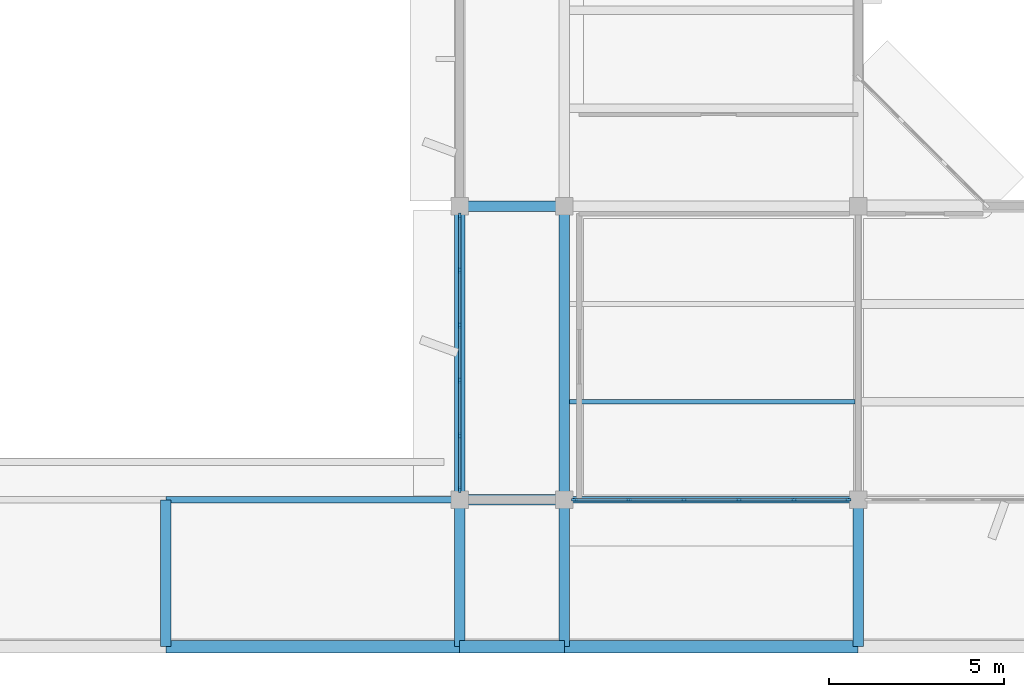
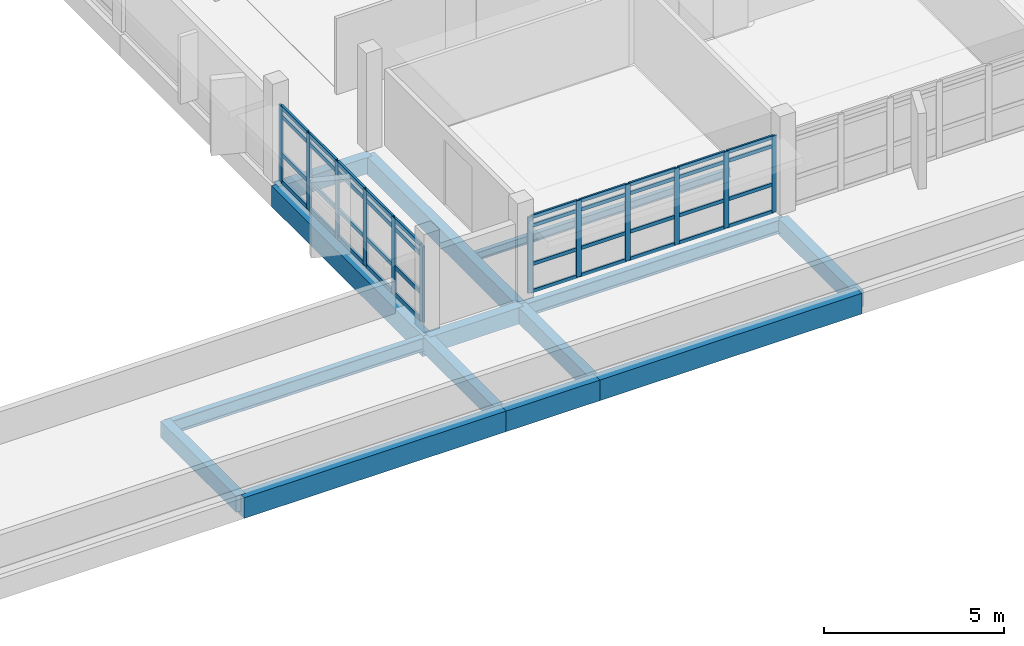
# One storey, part 15 of 92: 52 members, 14 beams, 2 elements without a shape of their own.
"""IFC4 building model written with IfcOpenShell, lengths in metres."""

from ifc_helpers import new_model, si_unit, direction, frame, origin, origin_2d, place, context, subcontext, project, spatial, rectangle, i_section, extrude, material, material_profile, profile_set, type_object, element, aggregate, save


model = new_model("IFC4")

# Units and contexts
model_context = context("Model", 3, precision=1e-05, world=origin(), true_north=direction((0.0, 1.0)))
body_context = subcontext(model_context, "Body", "Model", "MODEL_VIEW")
ifc_project = project(units=[si_unit("LENGTHUNIT", "METRE"), si_unit("AREAUNIT", "SQUARE_METRE"), si_unit("VOLUMEUNIT", "CUBIC_METRE"), si_unit("PLANEANGLEUNIT", "RADIAN"), si_unit("MASSUNIT", "GRAM", prefix="KILO")], contexts=[model_context])

# Site, building, storey
site_placement = place(None, origin())
site = spatial("IfcSite", under=ifc_project, at=site_placement, CompositionType="ELEMENT")
building_placement = place(site_placement, origin())
building = spatial("IfcBuilding", under=site, at=building_placement, Name="Vanh Quang Courtyard School", CompositionType="ELEMENT")
storey_placement = place(building_placement, frame((0.0, 0.0, 7.800048828125)))
storey = spatial("IfcBuildingStorey", under=building, at=storey_placement, Name="L02", CompositionType="ELEMENT", Elevation=7.800048828125)

# Beams
ifc_material_1 = material(Name="Concrete C35/45", Category="concrete")
ifc_material_profile_1 = material_profile(ifc_material_1, rectangle(XDim=0.300048828125, YDim=0.550048828125, at=origin_2d()), Name="RC-BM 300x550")
ifc_profile_set_1 = profile_set([ifc_material_profile_1], Name="Concrete C35/45")
beam_type_1 = type_object("IfcBeamType", Name="BM-RC-300x550", PredefinedType="BEAM", material=ifc_profile_set_1)
for number, where, z_axis, x_axis, name in (
    (1, (74.39990234375, 4.199951171875, -0.554931640625), (1.0, 0.0, 0.0), (0.0, 1.0, 0.0), "Beam B-07 (L02)"),
    (2, (74.39990234375, 12.60009765625, -0.554931640625), (1.0, 0.0, 0.0), (0.0, 1.0, 0.0), "Beam B-07 (L02)"),
):
    element("IfcBeam", number, at=place(storey_placement, frame(where, z_axis=z_axis, x_axis=x_axis)), inside=storey, type_object=beam_type_1, Name=name, PredefinedType="BEAM", context=body_context, shape_type="SweptSolid", body=[
        extrude(rectangle(XDim=0.300048828125, YDim=0.550048828125, at=origin_2d()), origin(), (0.0, 0.0, 1.0), 3.0),
    ])
for number, where, z_axis, x_axis, name in (
    (3, (66.0, 0.0, -0.4951171875), (0.0, 1.0, 0.0), (-1.0, 0.0, 0.0), "Beam B-07 (L02)"),
    (4, (74.39990234375, 0.0, -0.554931640625), (0.0, 1.0, 0.0), (-1.0, 0.0, 0.0), "Beam B-07 (L02)"),
    (5, (77.39990234375, 0.0, -0.554931640625), (0.0, 1.0, 0.0), (-1.0, 0.0, 0.0), "Beam B-07 (L02)"),
    (6, (85.800048828125, 0.0, -0.554931640625), (0.0, 1.0, 0.0), (-1.0, 0.0, 0.0), "Beam B-07 (L02)"),
):
    element("IfcBeam", number, at=place(storey_placement, frame(where, z_axis=z_axis, x_axis=x_axis)), inside=storey, type_object=beam_type_1, Name=name, PredefinedType="BEAM", context=body_context, shape_type="SweptSolid", body=[
        extrude(rectangle(XDim=0.300048828125, YDim=0.550048828125, at=origin_2d()), origin(), (0.0, 0.0, 1.0), 4.199951171875),
    ])
ifc_material_profile_2 = material_profile(ifc_material_1, rectangle(XDim=0.300048828125, YDim=0.60009765625, at=origin_2d()), Name="RC-BM 300x600")
ifc_profile_set_2 = profile_set([ifc_material_profile_2], Name="Concrete C35/45")
beam_type_2 = type_object("IfcBeamType", Name="BM-RC-300x600", PredefinedType="BEAM", material=ifc_profile_set_2)
beam_1_placement = place(storey_placement, frame((77.39990234375, 4.199951171875, -0.580078125), z_axis=(0.0, 1.0, 0.0), x_axis=(-1.0, 0.0, 0.0)))
element("IfcBeam", 7, at=beam_1_placement, inside=storey, type_object=beam_type_2, Name="Beam B-06 (L02)", PredefinedType="BEAM", context=body_context, shape_type="SweptSolid", body=[
    extrude(rectangle(XDim=0.300048828125, YDim=0.60009765625, at=origin_2d()), origin(), (0.0, 0.0, 1.0), 8.400146484375),
])
ifc_material_profile_3 = material_profile(ifc_material_1, rectangle(XDim=0.35009765625, YDim=0.699951171875, at=origin_2d()), Name="RC-BM 350x700")
ifc_profile_set_3 = profile_set([ifc_material_profile_3], Name="Concrete C35/45")
beam_type_3 = type_object("IfcBeamType", Name="BM-RC-350x700", PredefinedType="BEAM", material=ifc_profile_set_3)
beam_2_placement = place(storey_placement, frame((66.0, 0.0, -0.570068359375), z_axis=(1.0, 0.0, 0.0), x_axis=(0.0, 1.0, 0.0)))
element("IfcBeam", 8, at=beam_2_placement, inside=storey, type_object=beam_type_3, Name="Beam B-04 (L02)", PredefinedType="BEAM", context=body_context, shape_type="SweptSolid", body=[
    extrude(rectangle(XDim=0.35009765625, YDim=0.699951171875, at=origin_2d()), origin(), (0.0, 0.0, 1.0), 8.39990234375),
])
beam_3_placement = place(storey_placement, frame((74.39990234375, 0.0, -0.570068359375), z_axis=(1.0, 0.0, 0.0), x_axis=(0.0, 1.0, 0.0)))
element("IfcBeam", 9, at=beam_3_placement, inside=storey, type_object=beam_type_3, Name="Beam B-04 (L02)", PredefinedType="BEAM", context=body_context, shape_type="SweptSolid", body=[
    extrude(rectangle(XDim=0.35009765625, YDim=0.699951171875, at=origin_2d()), origin(), (0.0, 0.0, 1.0), 3.0),
])
beam_4_placement = place(storey_placement, frame((77.39990234375, 0.0, -0.570068359375), z_axis=(1.0, 0.0, 0.0), x_axis=(0.0, 1.0, 0.0)))
element("IfcBeam", 10, at=beam_4_placement, inside=storey, type_object=beam_type_3, Name="Beam B-04 (L02)", PredefinedType="BEAM", context=body_context, shape_type="SweptSolid", body=[
    extrude(rectangle(XDim=0.35009765625, YDim=0.699951171875, at=origin_2d()), origin(), (0.0, 0.0, 1.0), 8.400146484375),
])
ifc_material_profile_4 = material_profile(ifc_material_1, rectangle(XDim=0.300048828125, YDim=0.699951171875, at=origin_2d()), Name="RC-SP 300x700")
ifc_profile_set_4 = profile_set([ifc_material_profile_4], Name="Concrete C35/45")
beam_type_4 = type_object("IfcBeamType", Name="BM-SP-300x700", PredefinedType="SPANDREL", material=ifc_profile_set_4)
beam_5_placement = place(storey_placement, frame((74.39990234375, 4.199951171875, -0.630126953125), z_axis=(0.0, 1.0, 0.0), x_axis=(-1.0, 0.0, 0.0)))
element("IfcBeam", 11, at=beam_5_placement, inside=storey, type_object=beam_type_4, Name="Beam BS-01 (L02)", PredefinedType="SPANDREL", context=body_context, shape_type="SweptSolid", body=[
    extrude(rectangle(XDim=0.300048828125, YDim=0.699951171875, at=origin_2d()), origin(), (0.0, 0.0, 1.0), 8.400146484375),
])
ifc_material_2 = material(Name="Structural steel EN 10025-2 S355J2", Category="steel")
ifc_material_profile_5 = material_profile(ifc_material_2, i_section(OverallWidth=0.18994140625, OverallDepth=0.449951171875, WebThickness=0.009521484375, FlangeThickness=0.0146484375, FilletRadius=0.02099609375, at=origin_2d()), Name="IPE 450")
ifc_profile_set_5 = profile_set([ifc_material_profile_5], Name="Structural steel EN 10025-2 S355J2")
beam_type_5 = type_object("IfcBeamType", Name="BM-STL-IPE450", PredefinedType="BEAM", material=ifc_profile_set_5)
beam_6_placement = place(storey_placement, frame((66.0, 4.199951171875, -0.505126953125), z_axis=(1.0, 0.0, 0.0), x_axis=(0.0, 1.0, 0.0)))
element("IfcBeam", 12, at=beam_6_placement, inside=storey, type_object=beam_type_5, Name="Beam SB-04 (L02)", PredefinedType="BEAM", context=body_context, shape_type="SweptSolid", body=[
    extrude(i_section(OverallWidth=0.18994140625, OverallDepth=0.449951171875, WebThickness=0.009521484375, FlangeThickness=0.0146484375, FilletRadius=0.02099609375, at=origin_2d()), origin(), (0.0, 0.0, 1.0), 8.39990234375),
])
beam_7_placement = place(storey_placement, frame((77.39990234375, 4.199951171875, -0.505126953125), z_axis=(1.0, 0.0, 0.0), x_axis=(0.0, 1.0, 0.0)))
element("IfcBeam", 13, at=beam_7_placement, inside=storey, type_object=beam_type_5, Name="Beam SB-04 (L02)", PredefinedType="BEAM", context=body_context, shape_type="SweptSolid", body=[
    extrude(i_section(OverallWidth=0.18994140625, OverallDepth=0.449951171875, WebThickness=0.009521484375, FlangeThickness=0.0146484375, FilletRadius=0.02099609375, at=origin_2d()), origin(), (0.0, 0.0, 1.0), 8.400146484375),
])

# Curtain wall, members
ifc_material_3 = material(Name="Thermally broken aluminium unitised curtain wall", Category="aluminium")
curtain_wall_type = type_object("IfcCurtainWallType", Name="CW-SYS-19", PredefinedType="NOTDEFINED", material=ifc_material_3)
curtain_wall_1_placement = place(storey_placement, origin())
curtain_wall_1 = element("IfcCurtainWall", 14, at=curtain_wall_1_placement, inside=storey, type_object=curtain_wall_type, Name="Curtain Wall CW-19 (L02)", PredefinedType="NOTDEFINED")
ifc_material_4 = material(Name="Anodised aluminium 6063-T6", Category="aluminium")
ifc_material_profile_6 = material_profile(ifc_material_4, rectangle(XDim=0.06005859375, YDim=0.159912109375, at=origin_2d()), Name="ALU-MUL 60x160")
ifc_profile_set_6 = profile_set([ifc_material_profile_6], Name="Anodised aluminium 6063-T6")
member_type_1 = type_object("IfcMemberType", Name="CW-MUL-60x160", PredefinedType="MULLION", material=ifc_profile_set_6)
member_1_placement = place(storey_placement, frame((85.511962890625, 4.199951171875, 0.0), z_axis=(0.0, 0.0, 1.0), x_axis=(0.0, -1.0, 0.0)))
member_1 = element("IfcMember", 15, at=member_1_placement, type_object=member_type_1, Name="CW-19 mullion 1", PredefinedType="MULLION", context=body_context, shape_type="SweptSolid", body=[
    extrude(rectangle(XDim=0.06005859375, YDim=0.159912109375, at=origin_2d()), origin(), (0.0, 0.0, 1.0), 2.579833984375),
])
member_2_placement = place(storey_placement, frame((83.965087890625, 4.199951171875, 0.0), z_axis=(0.0, 0.0, 1.0), x_axis=(0.0, -1.0, 0.0)))
member_2 = element("IfcMember", 16, at=member_2_placement, type_object=member_type_1, Name="CW-19 mullion 2", PredefinedType="MULLION", context=body_context, shape_type="SweptSolid", body=[
    extrude(rectangle(XDim=0.06005859375, YDim=0.159912109375, at=origin_2d()), origin(), (0.0, 0.0, 1.0), 2.579833984375),
])
member_3_placement = place(storey_placement, frame((82.388427734375, 4.199951171875, 0.0), z_axis=(0.0, 0.0, 1.0), x_axis=(0.0, -1.0, 0.0)))
member_3 = element("IfcMember", 17, at=member_3_placement, type_object=member_type_1, Name="CW-19 mullion 3", PredefinedType="MULLION", context=body_context, shape_type="SweptSolid", body=[
    extrude(rectangle(XDim=0.06005859375, YDim=0.159912109375, at=origin_2d()), origin(), (0.0, 0.0, 1.0), 2.579833984375),
])
member_4_placement = place(storey_placement, frame((80.8115234375, 4.199951171875, 0.0), z_axis=(0.0, 0.0, 1.0), x_axis=(0.0, -1.0, 0.0)))
member_4 = element("IfcMember", 18, at=member_4_placement, type_object=member_type_1, Name="CW-19 mullion 4", PredefinedType="MULLION", context=body_context, shape_type="SweptSolid", body=[
    extrude(rectangle(XDim=0.06005859375, YDim=0.159912109375, at=origin_2d()), origin(), (0.0, 0.0, 1.0), 2.579833984375),
])
member_5_placement = place(storey_placement, frame((79.23486328125, 4.199951171875, 0.0), z_axis=(0.0, 0.0, 1.0), x_axis=(0.0, -1.0, 0.0)))
member_5 = element("IfcMember", 19, at=member_5_placement, type_object=member_type_1, Name="CW-19 mullion 5", PredefinedType="MULLION", context=body_context, shape_type="SweptSolid", body=[
    extrude(rectangle(XDim=0.06005859375, YDim=0.159912109375, at=origin_2d()), origin(), (0.0, 0.0, 1.0), 2.579833984375),
])
member_6_placement = place(storey_placement, frame((77.68798828125, 4.199951171875, 0.0), z_axis=(0.0, 0.0, 1.0), x_axis=(0.0, -1.0, 0.0)))
member_6 = element("IfcMember", 20, at=member_6_placement, type_object=member_type_1, Name="CW-19 mullion 6", PredefinedType="MULLION", context=body_context, shape_type="SweptSolid", body=[
    extrude(rectangle(XDim=0.06005859375, YDim=0.159912109375, at=origin_2d()), origin(), (0.0, 0.0, 1.0), 2.579833984375),
])

curtain_wall_2_placement = place(storey_placement, origin())
curtain_wall_2 = element("IfcCurtainWall", 21, at=curtain_wall_2_placement, inside=storey, type_object=curtain_wall_type, Name="Curtain Wall CW-19 (L02)", PredefinedType="NOTDEFINED")
ifc_material_profile_7 = material_profile(ifc_material_4, rectangle(XDim=0.070068359375, YDim=0.179931640625, at=origin_2d()), Name="ALU-MUL 70x180")
ifc_profile_set_7 = profile_set([ifc_material_profile_7], Name="Anodised aluminium 6063-T6")
member_type_2 = type_object("IfcMemberType", Name="CW-MUL-70x180", PredefinedType="MULLION", material=ifc_profile_set_7)
member_7_placement = place(storey_placement, frame((74.39990234375, 4.492919921875, 0.0), z_axis=(0.0, 0.0, 1.0), x_axis=(-1.0, 0.0, 0.0)))
member_7 = element("IfcMember", 22, at=member_7_placement, type_object=member_type_2, Name="CW-19 mullion 1", PredefinedType="MULLION", context=body_context, shape_type="SweptSolid", body=[
    extrude(rectangle(XDim=0.070068359375, YDim=0.179931640625, at=origin_2d()), origin(), (0.0, 0.0, 1.0), 2.579833984375),
])
member_8_placement = place(storey_placement, frame((74.39990234375, 6.034912109375, 0.0), z_axis=(0.0, 0.0, 1.0), x_axis=(-1.0, 0.0, 0.0)))
member_8 = element("IfcMember", 23, at=member_8_placement, type_object=member_type_2, Name="CW-19 mullion 2", PredefinedType="MULLION", context=body_context, shape_type="SweptSolid", body=[
    extrude(rectangle(XDim=0.070068359375, YDim=0.179931640625, at=origin_2d()), origin(), (0.0, 0.0, 1.0), 2.579833984375),
])
member_9_placement = place(storey_placement, frame((74.39990234375, 7.611572265625, 0.0), z_axis=(0.0, 0.0, 1.0), x_axis=(-1.0, 0.0, 0.0)))
member_9 = element("IfcMember", 24, at=member_9_placement, type_object=member_type_2, Name="CW-19 mullion 3", PredefinedType="MULLION", context=body_context, shape_type="SweptSolid", body=[
    extrude(rectangle(XDim=0.070068359375, YDim=0.179931640625, at=origin_2d()), origin(), (0.0, 0.0, 1.0), 2.579833984375),
])
member_10_placement = place(storey_placement, frame((74.39990234375, 9.1884765625, 0.0), z_axis=(0.0, 0.0, 1.0), x_axis=(-1.0, 0.0, 0.0)))
member_10 = element("IfcMember", 25, at=member_10_placement, type_object=member_type_2, Name="CW-19 mullion 4", PredefinedType="MULLION", context=body_context, shape_type="SweptSolid", body=[
    extrude(rectangle(XDim=0.070068359375, YDim=0.179931640625, at=origin_2d()), origin(), (0.0, 0.0, 1.0), 2.579833984375),
])
member_11_placement = place(storey_placement, frame((74.39990234375, 10.76513671875, 0.0), z_axis=(0.0, 0.0, 1.0), x_axis=(-1.0, 0.0, 0.0)))
member_11 = element("IfcMember", 26, at=member_11_placement, type_object=member_type_2, Name="CW-19 mullion 5", PredefinedType="MULLION", context=body_context, shape_type="SweptSolid", body=[
    extrude(rectangle(XDim=0.070068359375, YDim=0.179931640625, at=origin_2d()), origin(), (0.0, 0.0, 1.0), 2.579833984375),
])
member_12_placement = place(storey_placement, frame((74.39990234375, 12.306884765625, 0.0), z_axis=(0.0, 0.0, 1.0), x_axis=(-1.0, 0.0, 0.0)))
member_12 = element("IfcMember", 27, at=member_12_placement, type_object=member_type_2, Name="CW-19 mullion 6", PredefinedType="MULLION", context=body_context, shape_type="SweptSolid", body=[
    extrude(rectangle(XDim=0.070068359375, YDim=0.179931640625, at=origin_2d()), origin(), (0.0, 0.0, 1.0), 2.579833984375),
])

# Member
ifc_material_profile_8 = material_profile(ifc_material_4, rectangle(XDim=0.06005859375, YDim=0.1201171875, at=origin_2d()), Name="ALU-TRN 60x120")
ifc_profile_set_8 = profile_set([ifc_material_profile_8], Name="Anodised aluminium 6063-T6")
member_type_3 = type_object("IfcMemberType", Name="CW-TRN-60x120", PredefinedType="USERDEFINED", material=ifc_profile_set_8)
member_13_placement = place(storey_placement, frame((85.48193359375, 4.199951171875, 0.030029296875), z_axis=(-1.0, 0.0, 0.0), x_axis=(0.0, -1.0, 0.0)))
member_13 = element("IfcMember", 28, at=member_13_placement, type_object=member_type_3, Name="CW-19 transom 1.1", ObjectType="TRANSOM", PredefinedType="USERDEFINED", context=body_context, shape_type="SweptSolid", body=[
    extrude(rectangle(XDim=0.06005859375, YDim=0.1201171875, at=origin_2d()), origin(), (0.0, 0.0, 1.0), 1.48681640625),
])

member_14_placement = place(storey_placement, frame((85.48193359375, 4.199951171875, 0.949951171875), z_axis=(-1.0, 0.0, 0.0), x_axis=(0.0, -1.0, 0.0)))
member_14 = element("IfcMember", 29, at=member_14_placement, type_object=member_type_3, Name="CW-19 transom 1.2", ObjectType="TRANSOM", PredefinedType="USERDEFINED", context=body_context, shape_type="SweptSolid", body=[
    extrude(rectangle(XDim=0.06005859375, YDim=0.1201171875, at=origin_2d()), origin(), (0.0, 0.0, 1.0), 1.48681640625),
])

member_15_placement = place(storey_placement, frame((85.48193359375, 4.199951171875, 2.25), z_axis=(-1.0, 0.0, 0.0), x_axis=(0.0, -1.0, 0.0)))
member_15 = element("IfcMember", 30, at=member_15_placement, type_object=member_type_3, Name="CW-19 transom 1.3", ObjectType="TRANSOM", PredefinedType="USERDEFINED", context=body_context, shape_type="SweptSolid", body=[
    extrude(rectangle(XDim=0.06005859375, YDim=0.1201171875, at=origin_2d()), origin(), (0.0, 0.0, 1.0), 1.48681640625),
])

member_16_placement = place(storey_placement, frame((85.48193359375, 4.199951171875, 2.550048828125), z_axis=(-1.0, 0.0, 0.0), x_axis=(0.0, -1.0, 0.0)))
member_16 = element("IfcMember", 31, at=member_16_placement, type_object=member_type_3, Name="CW-19 transom 1.4", ObjectType="TRANSOM", PredefinedType="USERDEFINED", context=body_context, shape_type="SweptSolid", body=[
    extrude(rectangle(XDim=0.06005859375, YDim=0.1201171875, at=origin_2d()), origin(), (0.0, 0.0, 1.0), 1.48681640625),
])

member_17_placement = place(storey_placement, frame((83.935302734375, 4.199951171875, 0.030029296875), z_axis=(-1.0, 0.0, 0.0), x_axis=(0.0, -1.0, 0.0)))
member_17 = element("IfcMember", 32, at=member_17_placement, type_object=member_type_3, Name="CW-19 transom 2.1", ObjectType="TRANSOM", PredefinedType="USERDEFINED", context=body_context, shape_type="SweptSolid", body=[
    extrude(rectangle(XDim=0.06005859375, YDim=0.1201171875, at=origin_2d()), origin(), (0.0, 0.0, 1.0), 1.516845703125),
])

member_18_placement = place(storey_placement, frame((83.935302734375, 4.199951171875, 0.949951171875), z_axis=(-1.0, 0.0, 0.0), x_axis=(0.0, -1.0, 0.0)))
member_18 = element("IfcMember", 33, at=member_18_placement, type_object=member_type_3, Name="CW-19 transom 2.2", ObjectType="TRANSOM", PredefinedType="USERDEFINED", context=body_context, shape_type="SweptSolid", body=[
    extrude(rectangle(XDim=0.06005859375, YDim=0.1201171875, at=origin_2d()), origin(), (0.0, 0.0, 1.0), 1.516845703125),
])

member_19_placement = place(storey_placement, frame((83.935302734375, 4.199951171875, 2.25), z_axis=(-1.0, 0.0, 0.0), x_axis=(0.0, -1.0, 0.0)))
member_19 = element("IfcMember", 34, at=member_19_placement, type_object=member_type_3, Name="CW-19 transom 2.3", ObjectType="TRANSOM", PredefinedType="USERDEFINED", context=body_context, shape_type="SweptSolid", body=[
    extrude(rectangle(XDim=0.06005859375, YDim=0.1201171875, at=origin_2d()), origin(), (0.0, 0.0, 1.0), 1.516845703125),
])

member_20_placement = place(storey_placement, frame((83.935302734375, 4.199951171875, 2.550048828125), z_axis=(-1.0, 0.0, 0.0), x_axis=(0.0, -1.0, 0.0)))
member_20 = element("IfcMember", 35, at=member_20_placement, type_object=member_type_3, Name="CW-19 transom 2.4", ObjectType="TRANSOM", PredefinedType="USERDEFINED", context=body_context, shape_type="SweptSolid", body=[
    extrude(rectangle(XDim=0.06005859375, YDim=0.1201171875, at=origin_2d()), origin(), (0.0, 0.0, 1.0), 1.516845703125),
])

member_21_placement = place(storey_placement, frame((82.3583984375, 4.199951171875, 0.030029296875), z_axis=(-1.0, 0.0, 0.0), x_axis=(0.0, -1.0, 0.0)))
member_21 = element("IfcMember", 36, at=member_21_placement, type_object=member_type_3, Name="CW-19 transom 3.1", ObjectType="TRANSOM", PredefinedType="USERDEFINED", context=body_context, shape_type="SweptSolid", body=[
    extrude(rectangle(XDim=0.06005859375, YDim=0.1201171875, at=origin_2d()), origin(), (0.0, 0.0, 1.0), 1.516845703125),
])

member_22_placement = place(storey_placement, frame((82.3583984375, 4.199951171875, 0.949951171875), z_axis=(-1.0, 0.0, 0.0), x_axis=(0.0, -1.0, 0.0)))
member_22 = element("IfcMember", 37, at=member_22_placement, type_object=member_type_3, Name="CW-19 transom 3.2", ObjectType="TRANSOM", PredefinedType="USERDEFINED", context=body_context, shape_type="SweptSolid", body=[
    extrude(rectangle(XDim=0.06005859375, YDim=0.1201171875, at=origin_2d()), origin(), (0.0, 0.0, 1.0), 1.516845703125),
])

member_23_placement = place(storey_placement, frame((82.3583984375, 4.199951171875, 2.25), z_axis=(-1.0, 0.0, 0.0), x_axis=(0.0, -1.0, 0.0)))
member_23 = element("IfcMember", 38, at=member_23_placement, type_object=member_type_3, Name="CW-19 transom 3.3", ObjectType="TRANSOM", PredefinedType="USERDEFINED", context=body_context, shape_type="SweptSolid", body=[
    extrude(rectangle(XDim=0.06005859375, YDim=0.1201171875, at=origin_2d()), origin(), (0.0, 0.0, 1.0), 1.516845703125),
])

member_24_placement = place(storey_placement, frame((82.3583984375, 4.199951171875, 2.550048828125), z_axis=(-1.0, 0.0, 0.0), x_axis=(0.0, -1.0, 0.0)))
member_24 = element("IfcMember", 39, at=member_24_placement, type_object=member_type_3, Name="CW-19 transom 3.4", ObjectType="TRANSOM", PredefinedType="USERDEFINED", context=body_context, shape_type="SweptSolid", body=[
    extrude(rectangle(XDim=0.06005859375, YDim=0.1201171875, at=origin_2d()), origin(), (0.0, 0.0, 1.0), 1.516845703125),
])

member_25_placement = place(storey_placement, frame((80.781494140625, 4.199951171875, 0.030029296875), z_axis=(-1.0, 0.0, 0.0), x_axis=(0.0, -1.0, 0.0)))
member_25 = element("IfcMember", 40, at=member_25_placement, type_object=member_type_3, Name="CW-19 transom 4.1", ObjectType="TRANSOM", PredefinedType="USERDEFINED", context=body_context, shape_type="SweptSolid", body=[
    extrude(rectangle(XDim=0.06005859375, YDim=0.1201171875, at=origin_2d()), origin(), (0.0, 0.0, 1.0), 1.5166015625),
])

member_26_placement = place(storey_placement, frame((80.781494140625, 4.199951171875, 0.949951171875), z_axis=(-1.0, 0.0, 0.0), x_axis=(0.0, -1.0, 0.0)))
member_26 = element("IfcMember", 41, at=member_26_placement, type_object=member_type_3, Name="CW-19 transom 4.2", ObjectType="TRANSOM", PredefinedType="USERDEFINED", context=body_context, shape_type="SweptSolid", body=[
    extrude(rectangle(XDim=0.06005859375, YDim=0.1201171875, at=origin_2d()), origin(), (0.0, 0.0, 1.0), 1.5166015625),
])

member_27_placement = place(storey_placement, frame((80.781494140625, 4.199951171875, 2.25), z_axis=(-1.0, 0.0, 0.0), x_axis=(0.0, -1.0, 0.0)))
member_27 = element("IfcMember", 42, at=member_27_placement, type_object=member_type_3, Name="CW-19 transom 4.3", ObjectType="TRANSOM", PredefinedType="USERDEFINED", context=body_context, shape_type="SweptSolid", body=[
    extrude(rectangle(XDim=0.06005859375, YDim=0.1201171875, at=origin_2d()), origin(), (0.0, 0.0, 1.0), 1.5166015625),
])

member_28_placement = place(storey_placement, frame((80.781494140625, 4.199951171875, 2.550048828125), z_axis=(-1.0, 0.0, 0.0), x_axis=(0.0, -1.0, 0.0)))
member_28 = element("IfcMember", 43, at=member_28_placement, type_object=member_type_3, Name="CW-19 transom 4.4", ObjectType="TRANSOM", PredefinedType="USERDEFINED", context=body_context, shape_type="SweptSolid", body=[
    extrude(rectangle(XDim=0.06005859375, YDim=0.1201171875, at=origin_2d()), origin(), (0.0, 0.0, 1.0), 1.5166015625),
])

member_29_placement = place(storey_placement, frame((79.204833984375, 4.199951171875, 0.030029296875), z_axis=(-1.0, 0.0, 0.0), x_axis=(0.0, -1.0, 0.0)))
member_29 = element("IfcMember", 44, at=member_29_placement, type_object=member_type_3, Name="CW-19 transom 5.1", ObjectType="TRANSOM", PredefinedType="USERDEFINED", context=body_context, shape_type="SweptSolid", body=[
    extrude(rectangle(XDim=0.06005859375, YDim=0.1201171875, at=origin_2d()), origin(), (0.0, 0.0, 1.0), 1.48681640625),
])

member_30_placement = place(storey_placement, frame((79.204833984375, 4.199951171875, 0.949951171875), z_axis=(-1.0, 0.0, 0.0), x_axis=(0.0, -1.0, 0.0)))
member_30 = element("IfcMember", 45, at=member_30_placement, type_object=member_type_3, Name="CW-19 transom 5.2", ObjectType="TRANSOM", PredefinedType="USERDEFINED", context=body_context, shape_type="SweptSolid", body=[
    extrude(rectangle(XDim=0.06005859375, YDim=0.1201171875, at=origin_2d()), origin(), (0.0, 0.0, 1.0), 1.48681640625),
])

member_31_placement = place(storey_placement, frame((79.204833984375, 4.199951171875, 2.25), z_axis=(-1.0, 0.0, 0.0), x_axis=(0.0, -1.0, 0.0)))
member_31 = element("IfcMember", 46, at=member_31_placement, type_object=member_type_3, Name="CW-19 transom 5.3", ObjectType="TRANSOM", PredefinedType="USERDEFINED", context=body_context, shape_type="SweptSolid", body=[
    extrude(rectangle(XDim=0.06005859375, YDim=0.1201171875, at=origin_2d()), origin(), (0.0, 0.0, 1.0), 1.48681640625),
])

member_32_placement = place(storey_placement, frame((79.204833984375, 4.199951171875, 2.550048828125), z_axis=(-1.0, 0.0, 0.0), x_axis=(0.0, -1.0, 0.0)))
member_32 = element("IfcMember", 47, at=member_32_placement, type_object=member_type_3, Name="CW-19 transom 5.4", ObjectType="TRANSOM", PredefinedType="USERDEFINED", context=body_context, shape_type="SweptSolid", body=[
    extrude(rectangle(XDim=0.06005859375, YDim=0.1201171875, at=origin_2d()), origin(), (0.0, 0.0, 1.0), 1.48681640625),
])

aggregate(curtain_wall_1, [member_1, member_2, member_3, member_4, member_5, member_6, member_13, member_14, member_15, member_16, member_17, member_18, member_19, member_20, member_21, member_22, member_23, member_24, member_25, member_26, member_27, member_28, member_29, member_30, member_31, member_32])

ifc_material_profile_9 = material_profile(ifc_material_4, rectangle(XDim=0.070068359375, YDim=0.139892578125, at=origin_2d()), Name="ALU-TRN 70x140")
ifc_profile_set_9 = profile_set([ifc_material_profile_9], Name="Anodised aluminium 6063-T6")
member_type_4 = type_object("IfcMemberType", Name="CW-TRN-70x140", PredefinedType="USERDEFINED", material=ifc_profile_set_9)
member_33_placement = place(storey_placement, frame((74.39990234375, 4.528076171875, 0.034912109375), z_axis=(0.0, 1.0, 0.0), x_axis=(-1.0, 0.0, 0.0)))
member_33 = element("IfcMember", 48, at=member_33_placement, type_object=member_type_4, Name="CW-19 transom 1.1", ObjectType="TRANSOM", PredefinedType="USERDEFINED", context=body_context, shape_type="SweptSolid", body=[
    extrude(rectangle(XDim=0.070068359375, YDim=0.139892578125, at=origin_2d()), origin(), (0.0, 0.0, 1.0), 1.4716796875),
])

member_34_placement = place(storey_placement, frame((74.39990234375, 4.528076171875, 0.949951171875), z_axis=(0.0, 1.0, 0.0), x_axis=(-1.0, 0.0, 0.0)))
member_34 = element("IfcMember", 49, at=member_34_placement, type_object=member_type_4, Name="CW-19 transom 1.2", ObjectType="TRANSOM", PredefinedType="USERDEFINED", context=body_context, shape_type="SweptSolid", body=[
    extrude(rectangle(XDim=0.070068359375, YDim=0.139892578125, at=origin_2d()), origin(), (0.0, 0.0, 1.0), 1.4716796875),
])

member_35_placement = place(storey_placement, frame((74.39990234375, 4.528076171875, 2.25), z_axis=(0.0, 1.0, 0.0), x_axis=(-1.0, 0.0, 0.0)))
member_35 = element("IfcMember", 50, at=member_35_placement, type_object=member_type_4, Name="CW-19 transom 1.3", ObjectType="TRANSOM", PredefinedType="USERDEFINED", context=body_context, shape_type="SweptSolid", body=[
    extrude(rectangle(XDim=0.070068359375, YDim=0.139892578125, at=origin_2d()), origin(), (0.0, 0.0, 1.0), 1.4716796875),
])

member_36_placement = place(storey_placement, frame((74.39990234375, 4.528076171875, 2.544921875), z_axis=(0.0, 1.0, 0.0), x_axis=(-1.0, 0.0, 0.0)))
member_36 = element("IfcMember", 51, at=member_36_placement, type_object=member_type_4, Name="CW-19 transom 1.4", ObjectType="TRANSOM", PredefinedType="USERDEFINED", context=body_context, shape_type="SweptSolid", body=[
    extrude(rectangle(XDim=0.070068359375, YDim=0.139892578125, at=origin_2d()), origin(), (0.0, 0.0, 1.0), 1.4716796875),
])

member_37_placement = place(storey_placement, frame((74.39990234375, 6.06982421875, 0.034912109375), z_axis=(0.0, 1.0, 0.0), x_axis=(-1.0, 0.0, 0.0)))
member_37 = element("IfcMember", 52, at=member_37_placement, type_object=member_type_4, Name="CW-19 transom 2.1", ObjectType="TRANSOM", PredefinedType="USERDEFINED", context=body_context, shape_type="SweptSolid", body=[
    extrude(rectangle(XDim=0.070068359375, YDim=0.139892578125, at=origin_2d()), origin(), (0.0, 0.0, 1.0), 1.5068359375),
])

member_38_placement = place(storey_placement, frame((74.39990234375, 6.06982421875, 0.949951171875), z_axis=(0.0, 1.0, 0.0), x_axis=(-1.0, 0.0, 0.0)))
member_38 = element("IfcMember", 53, at=member_38_placement, type_object=member_type_4, Name="CW-19 transom 2.2", ObjectType="TRANSOM", PredefinedType="USERDEFINED", context=body_context, shape_type="SweptSolid", body=[
    extrude(rectangle(XDim=0.070068359375, YDim=0.139892578125, at=origin_2d()), origin(), (0.0, 0.0, 1.0), 1.5068359375),
])

member_39_placement = place(storey_placement, frame((74.39990234375, 6.06982421875, 2.25), z_axis=(0.0, 1.0, 0.0), x_axis=(-1.0, 0.0, 0.0)))
member_39 = element("IfcMember", 54, at=member_39_placement, type_object=member_type_4, Name="CW-19 transom 2.3", ObjectType="TRANSOM", PredefinedType="USERDEFINED", context=body_context, shape_type="SweptSolid", body=[
    extrude(rectangle(XDim=0.070068359375, YDim=0.139892578125, at=origin_2d()), origin(), (0.0, 0.0, 1.0), 1.5068359375),
])

member_40_placement = place(storey_placement, frame((74.39990234375, 6.06982421875, 2.544921875), z_axis=(0.0, 1.0, 0.0), x_axis=(-1.0, 0.0, 0.0)))
member_40 = element("IfcMember", 55, at=member_40_placement, type_object=member_type_4, Name="CW-19 transom 2.4", ObjectType="TRANSOM", PredefinedType="USERDEFINED", context=body_context, shape_type="SweptSolid", body=[
    extrude(rectangle(XDim=0.070068359375, YDim=0.139892578125, at=origin_2d()), origin(), (0.0, 0.0, 1.0), 1.5068359375),
])

member_41_placement = place(storey_placement, frame((74.39990234375, 7.646484375, 0.034912109375), z_axis=(0.0, 1.0, 0.0), x_axis=(-1.0, 0.0, 0.0)))
member_41 = element("IfcMember", 56, at=member_41_placement, type_object=member_type_4, Name="CW-19 transom 3.1", ObjectType="TRANSOM", PredefinedType="USERDEFINED", context=body_context, shape_type="SweptSolid", body=[
    extrude(rectangle(XDim=0.070068359375, YDim=0.139892578125, at=origin_2d()), origin(), (0.0, 0.0, 1.0), 1.5068359375),
])

member_42_placement = place(storey_placement, frame((74.39990234375, 7.646484375, 0.949951171875), z_axis=(0.0, 1.0, 0.0), x_axis=(-1.0, 0.0, 0.0)))
member_42 = element("IfcMember", 57, at=member_42_placement, type_object=member_type_4, Name="CW-19 transom 3.2", ObjectType="TRANSOM", PredefinedType="USERDEFINED", context=body_context, shape_type="SweptSolid", body=[
    extrude(rectangle(XDim=0.070068359375, YDim=0.139892578125, at=origin_2d()), origin(), (0.0, 0.0, 1.0), 1.5068359375),
])

member_43_placement = place(storey_placement, frame((74.39990234375, 7.646484375, 2.25), z_axis=(0.0, 1.0, 0.0), x_axis=(-1.0, 0.0, 0.0)))
member_43 = element("IfcMember", 58, at=member_43_placement, type_object=member_type_4, Name="CW-19 transom 3.3", ObjectType="TRANSOM", PredefinedType="USERDEFINED", context=body_context, shape_type="SweptSolid", body=[
    extrude(rectangle(XDim=0.070068359375, YDim=0.139892578125, at=origin_2d()), origin(), (0.0, 0.0, 1.0), 1.5068359375),
])

member_44_placement = place(storey_placement, frame((74.39990234375, 7.646484375, 2.544921875), z_axis=(0.0, 1.0, 0.0), x_axis=(-1.0, 0.0, 0.0)))
member_44 = element("IfcMember", 59, at=member_44_placement, type_object=member_type_4, Name="CW-19 transom 3.4", ObjectType="TRANSOM", PredefinedType="USERDEFINED", context=body_context, shape_type="SweptSolid", body=[
    extrude(rectangle(XDim=0.070068359375, YDim=0.139892578125, at=origin_2d()), origin(), (0.0, 0.0, 1.0), 1.5068359375),
])

member_45_placement = place(storey_placement, frame((74.39990234375, 9.223388671875, 0.034912109375), z_axis=(0.0, 1.0, 0.0), x_axis=(-1.0, 0.0, 0.0)))
member_45 = element("IfcMember", 60, at=member_45_placement, type_object=member_type_4, Name="CW-19 transom 4.1", ObjectType="TRANSOM", PredefinedType="USERDEFINED", context=body_context, shape_type="SweptSolid", body=[
    extrude(rectangle(XDim=0.070068359375, YDim=0.139892578125, at=origin_2d()), origin(), (0.0, 0.0, 1.0), 1.5068359375),
])

member_46_placement = place(storey_placement, frame((74.39990234375, 9.223388671875, 0.949951171875), z_axis=(0.0, 1.0, 0.0), x_axis=(-1.0, 0.0, 0.0)))
member_46 = element("IfcMember", 61, at=member_46_placement, type_object=member_type_4, Name="CW-19 transom 4.2", ObjectType="TRANSOM", PredefinedType="USERDEFINED", context=body_context, shape_type="SweptSolid", body=[
    extrude(rectangle(XDim=0.070068359375, YDim=0.139892578125, at=origin_2d()), origin(), (0.0, 0.0, 1.0), 1.5068359375),
])

member_47_placement = place(storey_placement, frame((74.39990234375, 9.223388671875, 2.25), z_axis=(0.0, 1.0, 0.0), x_axis=(-1.0, 0.0, 0.0)))
member_47 = element("IfcMember", 62, at=member_47_placement, type_object=member_type_4, Name="CW-19 transom 4.3", ObjectType="TRANSOM", PredefinedType="USERDEFINED", context=body_context, shape_type="SweptSolid", body=[
    extrude(rectangle(XDim=0.070068359375, YDim=0.139892578125, at=origin_2d()), origin(), (0.0, 0.0, 1.0), 1.5068359375),
])

member_48_placement = place(storey_placement, frame((74.39990234375, 9.223388671875, 2.544921875), z_axis=(0.0, 1.0, 0.0), x_axis=(-1.0, 0.0, 0.0)))
member_48 = element("IfcMember", 63, at=member_48_placement, type_object=member_type_4, Name="CW-19 transom 4.4", ObjectType="TRANSOM", PredefinedType="USERDEFINED", context=body_context, shape_type="SweptSolid", body=[
    extrude(rectangle(XDim=0.070068359375, YDim=0.139892578125, at=origin_2d()), origin(), (0.0, 0.0, 1.0), 1.5068359375),
])

member_49_placement = place(storey_placement, frame((74.39990234375, 10.80029296875, 0.034912109375), z_axis=(0.0, 1.0, 0.0), x_axis=(-1.0, 0.0, 0.0)))
member_49 = element("IfcMember", 64, at=member_49_placement, type_object=member_type_4, Name="CW-19 transom 5.1", ObjectType="TRANSOM", PredefinedType="USERDEFINED", context=body_context, shape_type="SweptSolid", body=[
    extrude(rectangle(XDim=0.070068359375, YDim=0.139892578125, at=origin_2d()), origin(), (0.0, 0.0, 1.0), 1.4716796875),
])

member_50_placement = place(storey_placement, frame((74.39990234375, 10.80029296875, 0.949951171875), z_axis=(0.0, 1.0, 0.0), x_axis=(-1.0, 0.0, 0.0)))
member_50 = element("IfcMember", 65, at=member_50_placement, type_object=member_type_4, Name="CW-19 transom 5.2", ObjectType="TRANSOM", PredefinedType="USERDEFINED", context=body_context, shape_type="SweptSolid", body=[
    extrude(rectangle(XDim=0.070068359375, YDim=0.139892578125, at=origin_2d()), origin(), (0.0, 0.0, 1.0), 1.4716796875),
])

member_51_placement = place(storey_placement, frame((74.39990234375, 10.80029296875, 2.25), z_axis=(0.0, 1.0, 0.0), x_axis=(-1.0, 0.0, 0.0)))
member_51 = element("IfcMember", 66, at=member_51_placement, type_object=member_type_4, Name="CW-19 transom 5.3", ObjectType="TRANSOM", PredefinedType="USERDEFINED", context=body_context, shape_type="SweptSolid", body=[
    extrude(rectangle(XDim=0.070068359375, YDim=0.139892578125, at=origin_2d()), origin(), (0.0, 0.0, 1.0), 1.4716796875),
])

member_52_placement = place(storey_placement, frame((74.39990234375, 10.80029296875, 2.544921875), z_axis=(0.0, 1.0, 0.0), x_axis=(-1.0, 0.0, 0.0)))
member_52 = element("IfcMember", 67, at=member_52_placement, type_object=member_type_4, Name="CW-19 transom 5.4", ObjectType="TRANSOM", PredefinedType="USERDEFINED", context=body_context, shape_type="SweptSolid", body=[
    extrude(rectangle(XDim=0.070068359375, YDim=0.139892578125, at=origin_2d()), origin(), (0.0, 0.0, 1.0), 1.4716796875),
])

aggregate(curtain_wall_2, [member_7, member_8, member_9, member_10, member_11, member_12, member_33, member_34, member_35, member_36, member_37, member_38, member_39, member_40, member_41, member_42, member_43, member_44, member_45, member_46, member_47, member_48, member_49, member_50, member_51, member_52])

# Beam
ifc_material_profile_10 = material_profile(ifc_material_2, i_section(OverallWidth=0.135009765625, OverallDepth=0.27001953125, WebThickness=0.006591796875, FlangeThickness=0.01025390625, FilletRadius=0.014892578125, at=origin_2d()), Name="IPE 270")
ifc_profile_set_10 = profile_set([ifc_material_profile_10], Name="Structural steel EN 10025-2 S355J2")
beam_type_6 = type_object("IfcBeamType", Name="JST-STL-IPE270", PredefinedType="JOIST", material=ifc_profile_set_10)
beam_8_placement = place(storey_placement, frame((77.550048828125, 7.0, -0.4150390625), z_axis=(1.0, 0.0, 0.0), x_axis=(0.0, 1.0, 0.0)))
element("IfcBeam", 68, at=beam_8_placement, inside=storey, type_object=beam_type_6, Name="Beam SJ-03 (L02)", PredefinedType="JOIST", context=body_context, shape_type="SweptSolid", body=[
    extrude(i_section(OverallWidth=0.135009765625, OverallDepth=0.27001953125, WebThickness=0.006591796875, FlangeThickness=0.01025390625, FilletRadius=0.014892578125, at=origin_2d()), origin(), (0.0, 0.0, 1.0), 8.159912109375),
])

save(model, "model.ifc")
